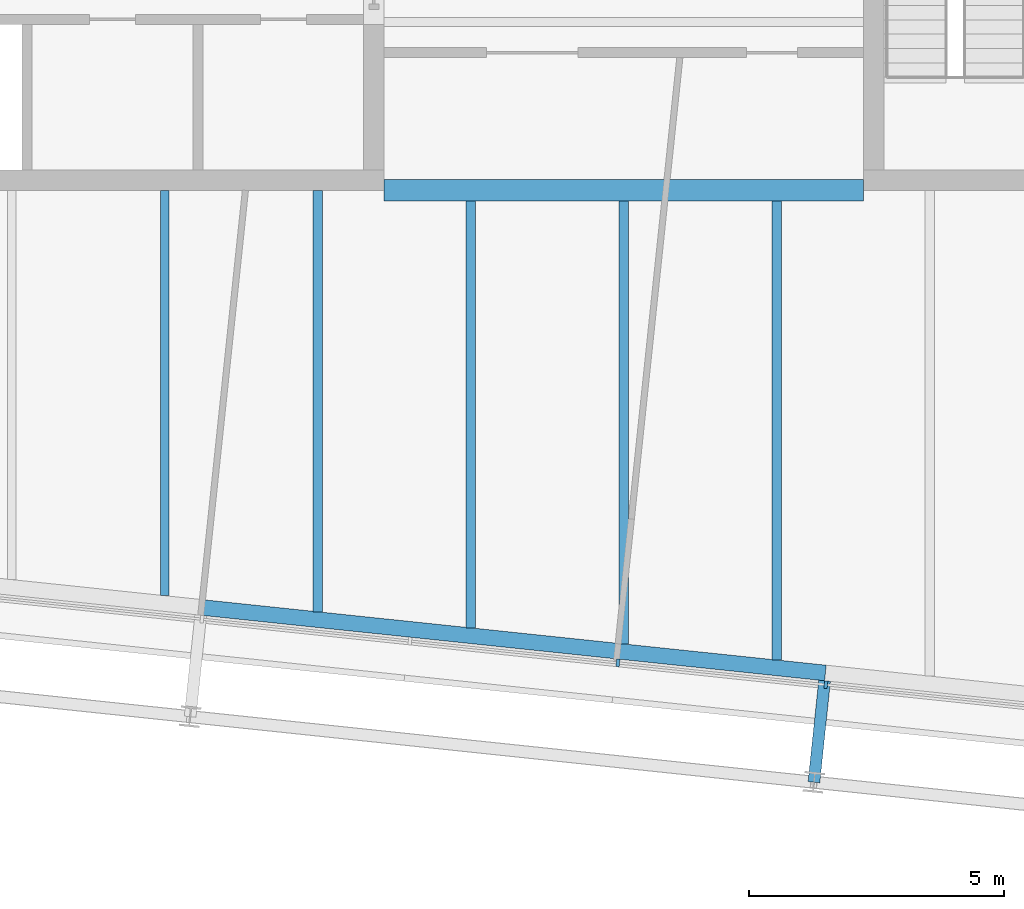
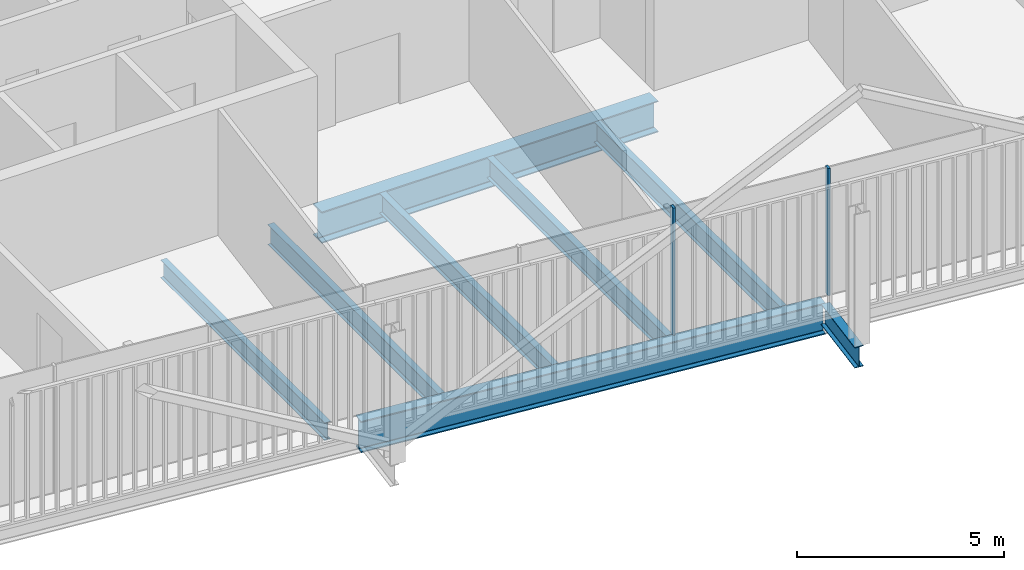
# One storey, part 5 of 21: 8 beams, 2 members, 1 element without a shape of its own.
"""IFC4 building model written with IfcOpenShell, lengths in metres."""

from ifc_helpers import new_model, si_unit, direction, frame, origin, origin_2d, place, context, subcontext, project, spatial, rectangle, i_section, extrude, material, layer, layer_set, material_profile, profile_set, type_object, element, aggregate, save


model = new_model("IFC4")

# Units and contexts
model_context = context("Model", 3, precision=1e-05, world=origin(), true_north=direction((0.0, 1.0)))
body_context = subcontext(model_context, "Body", "Model", "MODEL_VIEW")
ifc_project = project(units=[si_unit("LENGTHUNIT", "METRE"), si_unit("AREAUNIT", "SQUARE_METRE"), si_unit("VOLUMEUNIT", "CUBIC_METRE"), si_unit("PLANEANGLEUNIT", "RADIAN"), si_unit("MASSUNIT", "GRAM", prefix="KILO")], contexts=[model_context])

# Site, building, storey
site_placement = place(None, origin())
site = spatial("IfcSite", under=ifc_project, at=site_placement, CompositionType="ELEMENT")
building_placement = place(site_placement, origin())
building = spatial("IfcBuilding", under=site, at=building_placement, Name="Millrace Tower", CompositionType="ELEMENT")
storey_placement = place(building_placement, frame((0.0, 0.0, 291.60009765625)))
storey = spatial("IfcBuildingStorey", under=building, at=storey_placement, Name="L67", CompositionType="ELEMENT", Elevation=291.60009765625)

# Curtain wall, members
ifc_material_1 = material(Name="Aluminium and glass", Category="aluminium")
ifc_layer = layer(ifc_material_1, 0.14990234375)
ifc_layer_set = layer_set([ifc_layer], Name="Aluminium and glass")
curtain_wall_type = type_object("IfcCurtainWallType", Name="CW-1 office vision curtain wall", PredefinedType="NOTDEFINED", material=ifc_layer_set)
curtain_wall_placement = place(storey_placement, origin())
curtain_wall = element("IfcCurtainWall", 1, at=curtain_wall_placement, inside=storey, type_object=curtain_wall_type, Name="Curtain wall E-F02 L67", PredefinedType="NOTDEFINED")
ifc_material_2 = material(Name="Aluminium", Category="aluminium")
ifc_material_profile_1 = material_profile(ifc_material_2, rectangle(XDim=0.06494140625, YDim=0.14990234375, at=origin_2d()))
ifc_profile_set_1 = profile_set([ifc_material_profile_1], Name="Aluminium")
member_type = type_object("IfcMemberType", Name="CW-1 office vision curtain wall mullion", PredefinedType="MULLION", material=ifc_profile_set_1)
member_1_placement = place(storey_placement, frame((-0.11474609375, -18.567626953125, 0.139892578125), z_axis=(0.0, 0.0, 1.0), x_axis=(0.994521896217, -0.104528455196, 0.0)))
member_1 = element("IfcMember", 2, at=member_1_placement, type_object=member_type, Name="CW1 mullion E-F02.6", PredefinedType="MULLION", context=body_context, shape_type="SweptSolid", body=[
    extrude(rectangle(XDim=0.06494140625, YDim=0.14990234375, at=origin_2d()), origin(), (0.0, 0.0, 1.0), 3.760009765625),
])
member_2_placement = place(storey_placement, frame((3.962890625, -18.99609375, 0.139892578125), z_axis=(0.0, 0.0, 1.0), x_axis=(0.994521896217, -0.104528455196, 0.0)))
member_2 = element("IfcMember", 3, at=member_2_placement, type_object=member_type, Name="CW1 mullion E-F02.7", PredefinedType="MULLION", context=body_context, shape_type="SweptSolid", body=[
    extrude(rectangle(XDim=0.06494140625, YDim=0.14990234375, at=origin_2d()), origin(), (0.0, 0.0, 1.0), 3.760009765625),
])
aggregate(curtain_wall, [member_1, member_2])

# Beams
ifc_material_3 = material(Name="Steel ASTM A992 Grade 50", Category="steel")
ifc_material_profile_2 = material_profile(ifc_material_3, i_section(OverallWidth=0.1650390625, OverallDepth=0.52587890625, WebThickness=0.0087890625, FlangeThickness=0.011474609375, FilletRadius=0.0126953125, at=origin_2d()))
ifc_profile_set_2 = profile_set([ifc_material_profile_2], Name="Steel ASTM A992 Grade 50")
beam_type_1 = type_object("IfcBeamType", Name="Floor beam W21x44", PredefinedType="JOIST", material=ifc_profile_set_2)
beam_1_placement = place(storey_placement, frame((-9.0, -17.249267578125, -0.423095703125), z_axis=(0.0, 1.0, 0.0), x_axis=(-1.0, 0.0, 0.0)))
element("IfcBeam", 4, at=beam_1_placement, inside=storey, type_object=beam_type_1, Name="BM-E-L67-S1-S039", PredefinedType="JOIST", context=body_context, shape_type="SweptSolid", body=[
    extrude(i_section(OverallWidth=0.1650390625, OverallDepth=0.52587890625, WebThickness=0.0087890625, FlangeThickness=0.011474609375, FilletRadius=0.0126953125, at=origin_2d()), origin(), (0.0, 0.0, 1.0), 7.94921875),
])
ifc_material_4 = material(Name="Steel ASTM A992 Grade 50", Category="steel")
ifc_material_profile_3 = material_profile(ifc_material_4, i_section(OverallWidth=0.177978515625, OverallDepth=0.599365234375, WebThickness=0.010009765625, FlangeThickness=0.012939453125, FilletRadius=0.012939453125, at=origin_2d()))
ifc_profile_set_3 = profile_set([ifc_material_profile_3], Name="Steel ASTM A992 Grade 50")
beam_type_2 = type_object("IfcBeamType", Name="Floor beam W24x55", PredefinedType="JOIST", material=ifc_profile_set_3)
beam_2_placement = place(storey_placement, frame((-6.0, -17.564697265625, -0.459716796875), z_axis=(0.0, 1.0, 0.0), x_axis=(-1.0, 0.0, 0.0)))
element("IfcBeam", 5, at=beam_2_placement, inside=storey, type_object=beam_type_2, Name="BM-E-L67-S1-S041", PredefinedType="JOIST", context=body_context, shape_type="SweptSolid", body=[
    extrude(i_section(OverallWidth=0.177978515625, OverallDepth=0.599365234375, WebThickness=0.010009765625, FlangeThickness=0.012939453125, FilletRadius=0.012939453125, at=origin_2d()), origin(), (0.0, 0.0, 1.0), 8.2646484375),
])
beam_3_placement = place(storey_placement, frame((-3.0, -17.8798828125, -0.459716796875), z_axis=(0.0, 1.0, 0.0), x_axis=(-1.0, 0.0, 0.0)))
element("IfcBeam", 6, at=beam_3_placement, inside=storey, type_object=beam_type_2, Name="BM-E-L67-S1-S043", PredefinedType="JOIST", context=body_context, shape_type="SweptSolid", body=[
    extrude(i_section(OverallWidth=0.177978515625, OverallDepth=0.599365234375, WebThickness=0.010009765625, FlangeThickness=0.012939453125, FilletRadius=0.012939453125, at=origin_2d()), origin(), (0.0, 0.0, 1.0), 8.370361328125),
])
beam_4_placement = place(storey_placement, frame((0.0, -18.1953125, -0.459716796875), z_axis=(0.0, 1.0, 0.0), x_axis=(-1.0, 0.0, 0.0)))
element("IfcBeam", 7, at=beam_4_placement, inside=storey, type_object=beam_type_2, Name="BM-E-L67-S1-S045", PredefinedType="JOIST", context=body_context, shape_type="SweptSolid", body=[
    extrude(i_section(OverallWidth=0.177978515625, OverallDepth=0.599365234375, WebThickness=0.010009765625, FlangeThickness=0.012939453125, FilletRadius=0.012939453125, at=origin_2d()), origin(), (0.0, 0.0, 1.0), 8.685791015625),
])
beam_5_placement = place(storey_placement, frame((3.0, -18.510498046875, -0.459716796875), z_axis=(0.0, 1.0, 0.0), x_axis=(-1.0, 0.0, 0.0)))
element("IfcBeam", 8, at=beam_5_placement, inside=storey, type_object=beam_type_2, Name="BM-E-L67-S1-S047", PredefinedType="JOIST", context=body_context, shape_type="SweptSolid", body=[
    extrude(i_section(OverallWidth=0.177978515625, OverallDepth=0.599365234375, WebThickness=0.010009765625, FlangeThickness=0.012939453125, FilletRadius=0.012939453125, at=origin_2d()), origin(), (0.0, 0.0, 1.0), 9.0009765625),
])
ifc_material_5 = material(Name="Steel ASTM A992 Grade 50", Category="steel")
ifc_material_profile_4 = material_profile(ifc_material_5, i_section(OverallWidth=0.419189453125, OverallDepth=0.927001953125, WebThickness=0.019287109375, FlangeThickness=0.031982421875, FilletRadius=0.024169921875, at=origin_2d()))
ifc_profile_set_4 = profile_set([ifc_material_profile_4], Name="Steel ASTM A992 Grade 50")
beam_type_3 = type_object("IfcBeamType", Name="Girder short span W36x231", PredefinedType="BEAM", material=ifc_profile_set_4)
beam_6_placement = place(storey_placement, frame((-4.699951171875, -9.300048828125, -0.62353515625), z_axis=(1.0, 0.0, 0.0), x_axis=(0.0, 1.0, 0.0)))
element("IfcBeam", 9, at=beam_6_placement, inside=storey, type_object=beam_type_3, Name="BM-E-L67-S1-G059", PredefinedType="BEAM", context=body_context, shape_type="SweptSolid", body=[
    extrude(i_section(OverallWidth=0.419189453125, OverallDepth=0.927001953125, WebThickness=0.019287109375, FlangeThickness=0.031982421875, FilletRadius=0.024169921875, at=origin_2d()), origin(), (0.0, 0.0, 1.0), 9.39990234375),
])
ifc_material_6 = material(Name="Steel ASTM A992 Grade 50", Category="steel")
ifc_material_profile_5 = material_profile(ifc_material_6, i_section(OverallWidth=0.23046875, OverallDepth=0.6171875, WebThickness=0.01318359375, FlangeThickness=0.022216796875, FilletRadius=0.012939453125, at=origin_2d()))
ifc_profile_set_5 = profile_set([ifc_material_profile_5], Name="Steel ASTM A992 Grade 50")
beam_type_4 = type_object("IfcBeamType", Name="Link beam W24x94", PredefinedType="BEAM", material=ifc_profile_set_5)
beam_7_placement = place(storey_placement, frame((3.938232421875, -18.918212890625, -0.46875), z_axis=(-0.104494148666, -0.99452550138, 0.0), x_axis=(0.99452550138, -0.104494148666, 0.0)))
element("IfcBeam", 10, at=beam_7_placement, inside=storey, type_object=beam_type_4, Name="LNK-E-L67-S1-14", PredefinedType="BEAM", context=body_context, shape_type="SweptSolid", body=[
    extrude(i_section(OverallWidth=0.23046875, OverallDepth=0.6171875, WebThickness=0.01318359375, FlangeThickness=0.022216796875, FilletRadius=0.012939453125, at=origin_2d()), origin(), (0.0, 0.0, 1.0), 2.0),
])
ifc_material_7 = material(Name="Steel ASTM A992 Grade 50", Category="steel")
ifc_material_profile_6 = material_profile(ifc_material_7, i_section(OverallWidth=0.307373046875, OverallDepth=0.927001953125, WebThickness=0.01953125, FlangeThickness=0.031982421875, FilletRadius=0.01904296875, at=origin_2d()))
ifc_profile_set_6 = profile_set([ifc_material_profile_6], Name="Steel ASTM A992 Grade 50")
beam_type_5 = type_object("IfcBeamType", Name="Ring beam medium span W36x194", PredefinedType="SPANDREL", material=ifc_profile_set_6)
beam_8_placement = place(storey_placement, frame((3.954345703125, -18.765380859375, -0.62353515625), z_axis=(-0.994522406476, 0.104523600289, 0.0), x_axis=(-0.104523600289, -0.994522406476, 0.0)))
element("IfcBeam", 11, at=beam_8_placement, inside=storey, type_object=beam_type_5, Name="RNG-E-L67-S1-14", PredefinedType="SPANDREL", context=body_context, shape_type="SweptSolid", body=[
    extrude(i_section(OverallWidth=0.307373046875, OverallDepth=0.927001953125, WebThickness=0.01953125, FlangeThickness=0.031982421875, FilletRadius=0.01904296875, at=origin_2d()), origin(), (0.0, 0.0, 1.0), 12.300048828125),
])

save(model, "model.ifc")
